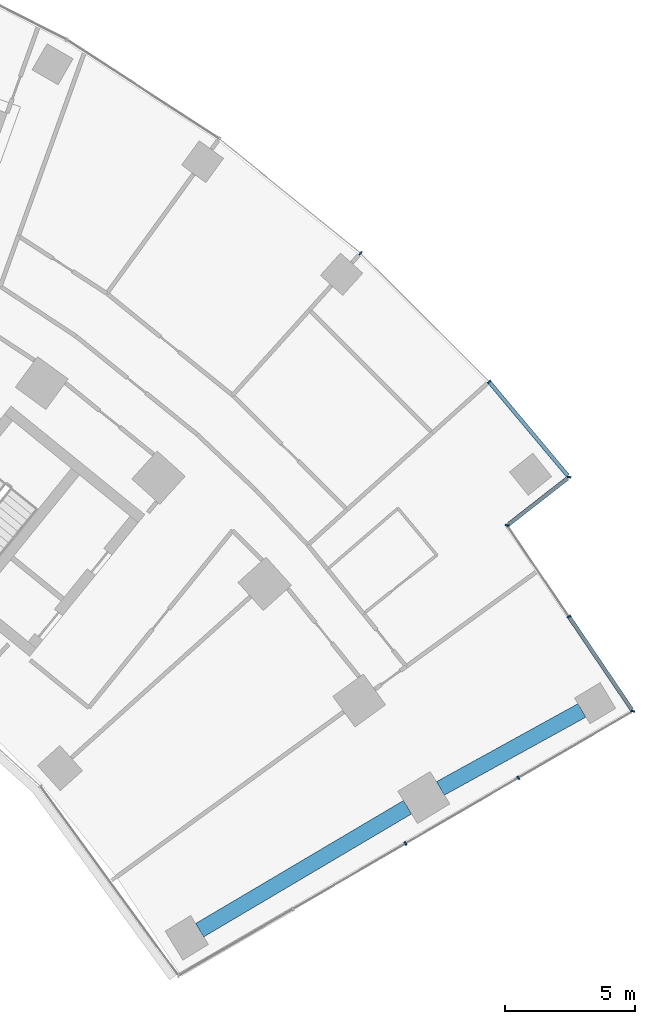
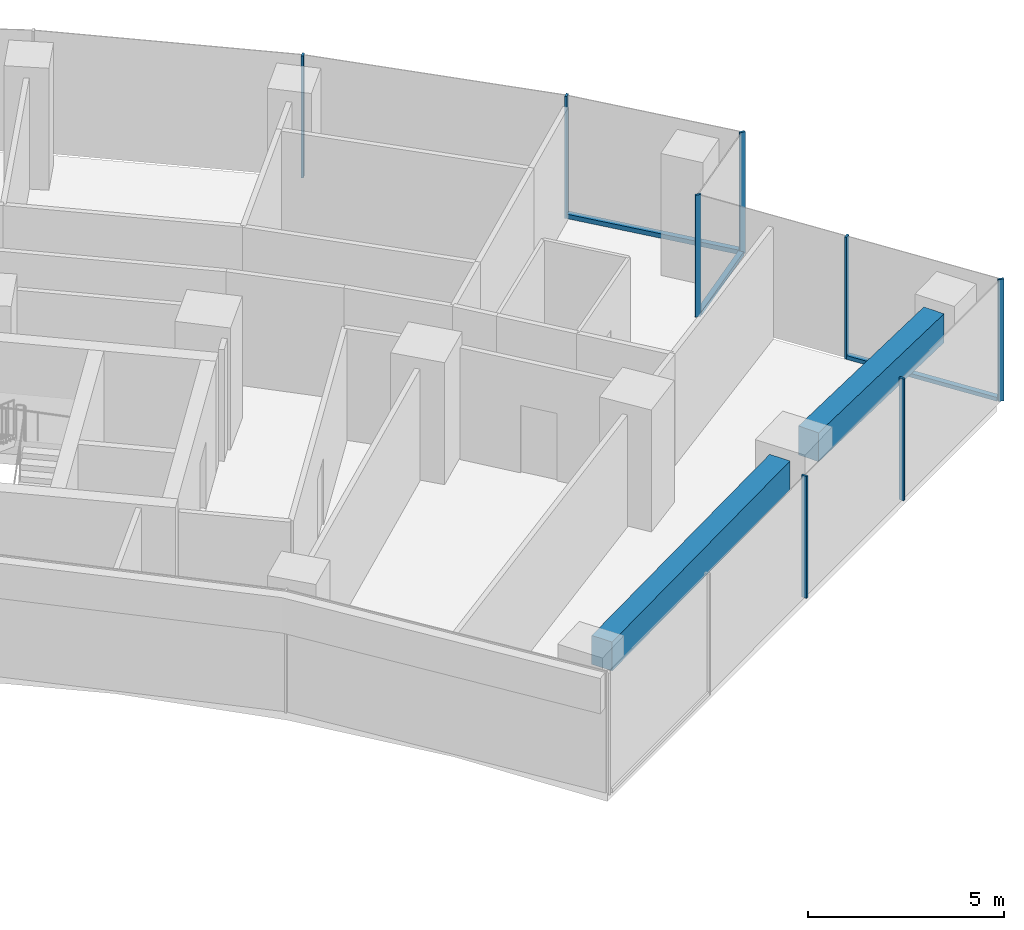
# One storey, part 8 of 19: 11 members, 2 beams, 4 elements without a shape of their own.
"""IFC4 building model written with IfcOpenShell, lengths in metres."""

from ifc_helpers import new_model, si_unit, direction, frame, origin, origin_2d, place, context, subcontext, project, spatial, rectangle, extrude, material, layer, layer_set, material_profile, profile_set, type_object, element, aggregate, save


model = new_model("IFC4")

# Units and contexts
model_context = context("Model", 3, precision=1e-05, world=origin(), true_north=direction((0.0, 1.0)))
body_context = subcontext(model_context, "Body", "Model", "MODEL_VIEW")
ifc_project = project(units=[si_unit("LENGTHUNIT", "METRE"), si_unit("AREAUNIT", "SQUARE_METRE"), si_unit("VOLUMEUNIT", "CUBIC_METRE"), si_unit("PLANEANGLEUNIT", "RADIAN"), si_unit("MASSUNIT", "GRAM", prefix="KILO")], contexts=[model_context])

# Site, building, storey
site_placement = place(None, origin())
site = spatial("IfcSite", under=ifc_project, at=site_placement, CompositionType="ELEMENT")
building_placement = place(site_placement, origin())
building = spatial("IfcBuilding", under=site, at=building_placement, Name="Stone Belt Terrace Tower", CompositionType="ELEMENT")
storey_placement = place(building_placement, frame((0.0, 0.0, 128.800048828125)))
storey = spatial("IfcBuildingStorey", under=building, at=storey_placement, Name="L31", CompositionType="ELEMENT", Elevation=128.800048828125)

# Curtain wall, members
ifc_material_1 = material(Name="Aluminium 6063-T6 anodised frame", Category="aluminium")
ifc_layer_1 = layer(ifc_material_1, 0.14990234375)
ifc_layer_set_1 = layer_set([ifc_layer_1], Name="CW-A unitised convex-face curtain wall")
curtain_wall_type_1 = type_object("IfcCurtainWallType", Name="CW-A unitised convex-face curtain wall", PredefinedType="NOTDEFINED", material=ifc_layer_set_1)
curtain_wall_1_placement = place(storey_placement, origin())
curtain_wall_1 = element("IfcCurtainWall", 1, at=curtain_wall_1_placement, inside=storey, type_object=curtain_wall_type_1, Name="CW-A convex face L31", PredefinedType="NOTDEFINED")
ifc_material_profile_1 = material_profile(ifc_material_1, rectangle(XDim=0.14990234375, YDim=0.06005859375, at=origin_2d()), Name="Aluminium 6063-T6 60x150")
ifc_profile_set_1 = profile_set([ifc_material_profile_1], Name="Aluminium 6063-T6 anodised frame")
member_type_1 = type_object("IfcMemberType", Name="CW-A mullion 60 x 150", PredefinedType="MULLION", material=ifc_profile_set_1)
member_1_placement = place(storey_placement, frame((52.539794921875, 40.89208984375, 0.0), z_axis=(0.0, 0.0, 1.0), x_axis=(-0.994464768622, 0.105070566623, 0.0)))
member_1 = element("IfcMember", 2, at=member_1_placement, type_object=member_type_1, Name="CW-A mullion 1", PredefinedType="MULLION", context=body_context, shape_type="SweptSolid", body=[
    extrude(rectangle(XDim=0.14990234375, YDim=0.06005859375, at=origin_2d()), origin(), (0.0, 0.0, 1.0), 3.800048828125),
])
member_2_placement = place(storey_placement, frame((49.474609375, 44.5478515625, 0.0), z_axis=(0.0, 0.0, 1.0), x_axis=(-0.737400080522, -0.675456231925, 0.0)))
member_2 = element("IfcMember", 3, at=member_2_placement, type_object=member_type_1, Name="CW-A mullion 2", PredefinedType="MULLION", context=body_context, shape_type="SweptSolid", body=[
    extrude(rectangle(XDim=0.14990234375, YDim=0.06005859375, at=origin_2d()), origin(), (0.0, 0.0, 1.0), 3.800048828125),
])
member_3_placement = place(storey_placement, frame((44.54736328125, 49.474853515625, 0.0), z_axis=(0.0, 0.0, 1.0), x_axis=(-0.669130606359, -0.743144825477, 0.0)))
member_3 = element("IfcMember", 4, at=member_3_placement, type_object=member_type_1, Name="CW-A mullion 3", PredefinedType="MULLION", context=body_context, shape_type="SweptSolid", body=[
    extrude(rectangle(XDim=0.14990234375, YDim=0.06005859375, at=origin_2d()), origin(), (0.0, 0.0, 1.0), 3.800048828125),
])
ifc_material_profile_2 = material_profile(ifc_material_1, rectangle(XDim=0.14990234375, YDim=0.139892578125, at=origin_2d()), Name="Aluminium 6063-T6 150x140")
ifc_profile_set_2 = profile_set([ifc_material_profile_2], Name="Aluminium 6063-T6 anodised frame")
member_type_2 = type_object("IfcMemberType", Name="CW-A transom 140 x 150", PredefinedType="USERDEFINED", material=ifc_profile_set_2)
member_4_placement = place(storey_placement, frame((52.49169921875, 40.949462890625, 0.070068359375), z_axis=(-0.642504178028, 0.766282181195, 0.0), x_axis=(-0.766282181195, -0.642504178028, 0.0)))
member_4 = element("IfcMember", 5, at=member_4_placement, type_object=member_type_2, Name="CW-A transom 1.1", ObjectType="TRANSOM", PredefinedType="USERDEFINED", context=body_context, shape_type="SweptSolid", body=[
    extrude(rectangle(XDim=0.14990234375, YDim=0.139892578125, at=origin_2d()), origin(), (0.0, 0.0, 1.0), 4.662841796875),
])
aggregate(curtain_wall_1, [member_1, member_2, member_3, member_4])

ifc_layer_2 = layer(ifc_material_1, 0.14990234375)
ifc_layer_set_2 = layer_set([ifc_layer_2], Name="CW-C stick curtain wall, horn ends and notches")
curtain_wall_type_2 = type_object("IfcCurtainWallType", Name="CW-C stick curtain wall, horn ends and notches", PredefinedType="NOTDEFINED", material=ifc_layer_set_2)
curtain_wall_2_placement = place(storey_placement, origin())
curtain_wall_2 = element("IfcCurtainWall", 6, at=curtain_wall_2_placement, inside=storey, type_object=curtain_wall_type_2, Name="CW-C end face L31", PredefinedType="NOTDEFINED")
ifc_material_profile_3 = material_profile(ifc_material_1, rectangle(XDim=0.14990234375, YDim=0.06005859375, at=origin_2d()), Name="Aluminium 6063-T6 60x150")
ifc_profile_set_3 = profile_set([ifc_material_profile_3], Name="Aluminium 6063-T6 anodised frame")
member_type_3 = type_object("IfcMemberType", Name="CW-C mullion 60 x 150", PredefinedType="MULLION", material=ifc_profile_set_3)
member_5_placement = place(storey_placement, frame((46.2744140625, 26.85009765625, 0.0), z_axis=(0.0, 0.0, 1.0), x_axis=(-0.503080901861, 0.864239322284, 0.0)))
member_5 = element("IfcMember", 7, at=member_5_placement, type_object=member_type_3, Name="CW-C mullion 3", PredefinedType="MULLION", context=body_context, shape_type="SweptSolid", body=[
    extrude(rectangle(XDim=0.14990234375, YDim=0.06005859375, at=origin_2d()), origin(), (0.0, 0.0, 1.0), 3.800048828125),
])
member_6_placement = place(storey_placement, frame((50.595703125, 29.365478515625, 0.0), z_axis=(0.0, 0.0, 1.0), x_axis=(-0.503080901861, 0.864239322284, 0.0)))
member_6 = element("IfcMember", 8, at=member_6_placement, type_object=member_type_3, Name="CW-C mullion 4", PredefinedType="MULLION", context=body_context, shape_type="SweptSolid", body=[
    extrude(rectangle(XDim=0.14990234375, YDim=0.06005859375, at=origin_2d()), origin(), (0.0, 0.0, 1.0), 3.800048828125),
])
aggregate(curtain_wall_2, [member_5, member_6])

curtain_wall_3_placement = place(storey_placement, origin())
curtain_wall_3 = element("IfcCurtainWall", 9, at=curtain_wall_3_placement, inside=storey, type_object=curtain_wall_type_2, Name="CW-C notch face L31", PredefinedType="NOTDEFINED")
member_7_placement = place(storey_placement, frame((54.986328125, 31.921142578125, 0.0), z_axis=(0.0, 0.0, 1.0), x_axis=(-0.974926991266, 0.222524968715, 0.0)))
member_7 = element("IfcMember", 10, at=member_7_placement, type_object=member_type_3, Name="CW-C mullion 1", PredefinedType="MULLION", context=body_context, shape_type="SweptSolid", body=[
    extrude(rectangle(XDim=0.14990234375, YDim=0.06005859375, at=origin_2d()), origin(), (0.0, 0.0, 1.0), 3.800048828125),
])
member_8_placement = place(storey_placement, frame((52.53515625, 35.5439453125, 0.0), z_axis=(0.0, 0.0, 1.0), x_axis=(-0.828244257471, -0.560367245622, 0.0)))
member_8 = element("IfcMember", 11, at=member_8_placement, type_object=member_type_3, Name="CW-C mullion 2", PredefinedType="MULLION", context=body_context, shape_type="SweptSolid", body=[
    extrude(rectangle(XDim=0.14990234375, YDim=0.06005859375, at=origin_2d()), origin(), (0.0, 0.0, 1.0), 3.800048828125),
])

# Curtain wall, member
curtain_wall_4_placement = place(storey_placement, origin())
curtain_wall_4 = element("IfcCurtainWall", 12, at=curtain_wall_4_placement, inside=storey, type_object=curtain_wall_type_2, Name="CW-C notch face L31", PredefinedType="NOTDEFINED")
member_9_placement = place(storey_placement, frame((50.16845703125, 39.0419921875, 0.0), z_axis=(0.0, 0.0, 1.0), x_axis=(-0.987742281651, 0.156093513764, 0.0)))
member_9 = element("IfcMember", 13, at=member_9_placement, type_object=member_type_3, Name="CW-C mullion 1", PredefinedType="MULLION", context=body_context, shape_type="SweptSolid", body=[
    extrude(rectangle(XDim=0.14990234375, YDim=0.06005859375, at=origin_2d()), origin(), (0.0, 0.0, 1.0), 3.800048828125),
])

# Member
ifc_material_profile_4 = material_profile(ifc_material_1, rectangle(XDim=0.14990234375, YDim=0.1201171875, at=origin_2d()), Name="Aluminium 6063-T6 150x120")
ifc_profile_set_4 = profile_set([ifc_material_profile_4], Name="Aluminium 6063-T6 anodised frame")
member_type_4 = type_object("IfcMemberType", Name="CW-C transom 120 x 150", PredefinedType="USERDEFINED", material=ifc_profile_set_4)
member_10_placement = place(storey_placement, frame((54.944091796875, 31.983642578125, 0.06005859375), z_axis=(-0.560388995766, 0.828229541507, 0.0), x_axis=(-0.828229541507, -0.560388995766, 0.0)))
member_10 = element("IfcMember", 14, at=member_10_placement, type_object=member_type_4, Name="CW-C transom 1.1", ObjectType="TRANSOM", PredefinedType="USERDEFINED", context=body_context, shape_type="SweptSolid", body=[
    extrude(rectangle(XDim=0.14990234375, YDim=0.1201171875, at=origin_2d()), origin(), (0.0, 0.0, 1.0), 4.2685546875),
])

aggregate(curtain_wall_3, [member_7, member_8, member_10])

member_11_placement = place(storey_placement, frame((50.22607421875, 39.087158203125, 0.06005859375), z_axis=(0.788505618167, 0.615027552325, 0.0), x_axis=(-0.615027552325, 0.788505618167, 0.0)))
member_11 = element("IfcMember", 15, at=member_11_placement, type_object=member_type_4, Name="CW-C transom 1.1", ObjectType="TRANSOM", PredefinedType="USERDEFINED", context=body_context, shape_type="SweptSolid", body=[
    extrude(rectangle(XDim=0.14990234375, YDim=0.1201171875, at=origin_2d()), origin(), (0.0, 0.0, 1.0), 2.859619140625),
])

aggregate(curtain_wall_4, [member_9, member_11])

# Beams
ifc_material_2 = material(Name="Concrete B60", Category="concrete")
ifc_material_profile_5 = material_profile(ifc_material_2, rectangle(XDim=0.60009765625, YDim=0.89990234375, at=origin_2d()), Name="RC 600x900")
ifc_profile_set_5 = profile_set([ifc_material_profile_5], Name="Concrete B60")
beam_type = type_object("IfcBeamType", Name="Edge beam RC 600x900 B60", PredefinedType="SPANDREL", material=ifc_profile_set_5)
beam_1_placement = place(storey_placement, frame((38.3828125, 23.52783203125, 3.030029296875), z_axis=(0.860646513691, 0.509202885372, 0.0), x_axis=(-0.509202885372, 0.860646513691, 0.0)))
element("IfcBeam", 16, at=beam_1_placement, inside=storey, type_object=beam_type, Name="Edge beam L31 B P to Q", PredefinedType="SPANDREL", context=body_context, shape_type="SweptSolid", body=[
    extrude(rectangle(XDim=0.60009765625, YDim=0.89990234375, at=origin_2d()), origin(), (0.0, 0.0, 1.0), 9.255859375),
])
beam_2_placement = place(storey_placement, frame((47.6083984375, 28.960693359375, 3.030029296875), z_axis=(0.875764462498, 0.482738652094, 0.0), x_axis=(-0.482738652094, 0.875764462498, 0.0)))
element("IfcBeam", 17, at=beam_2_placement, inside=storey, type_object=beam_type, Name="Edge beam L31 B Q to R", PredefinedType="SPANDREL", context=body_context, shape_type="SweptSolid", body=[
    extrude(rectangle(XDim=0.60009765625, YDim=0.89990234375, at=origin_2d()), origin(), (0.0, 0.0, 1.0), 6.19384765625),
])

save(model, "model.ifc")
